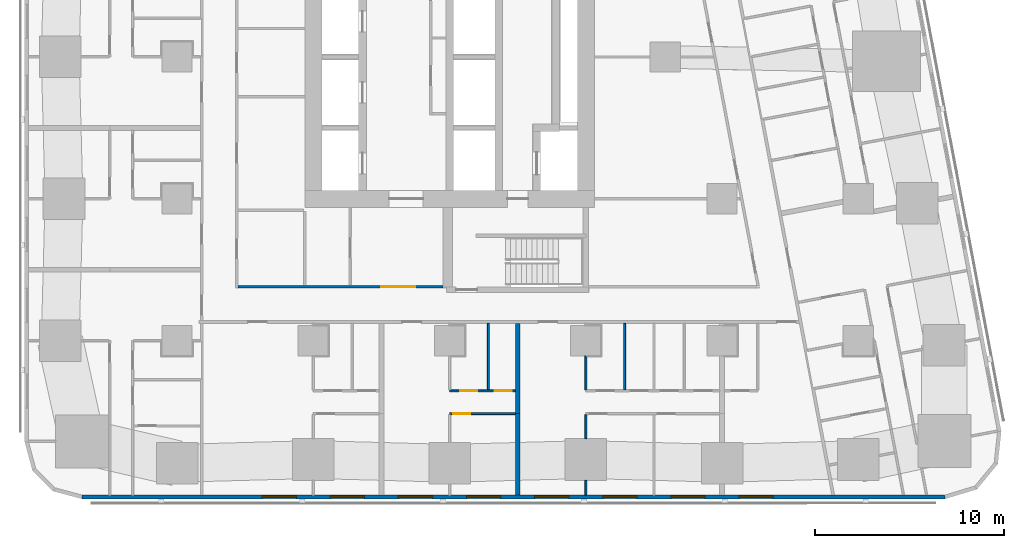
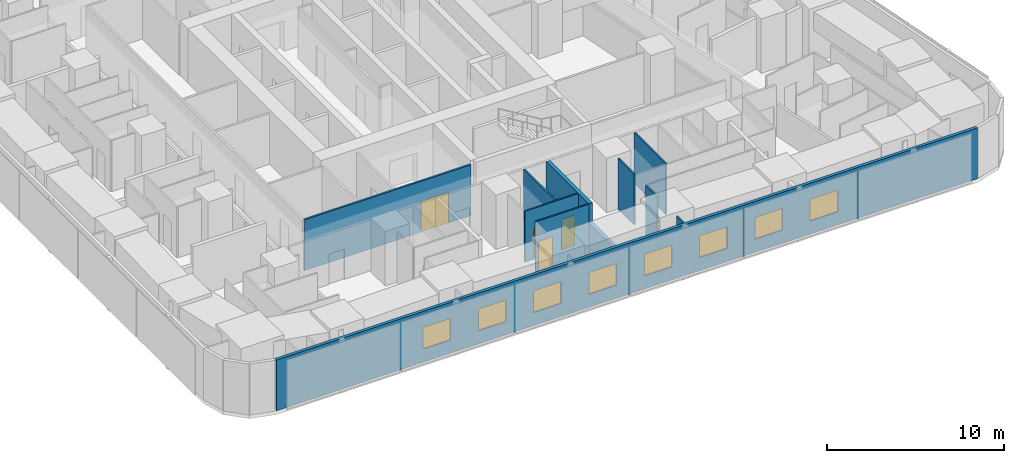
# One storey, part 3 of 16: 11 walls, 8 windows, 4 doors, 12 openings.
"""IFC4 building model written with IfcOpenShell, lengths in metres."""

from ifc_helpers import new_model, si_unit, direction, frame, frame_2d, origin, place, context, subcontext, project, spatial, rectangle, extrude, material, layer, layer_set, type_object, element, fill, save


model = new_model("IFC4")

# Units and contexts
model_context = context("Model", 3, precision=1e-05, world=origin(), true_north=direction((0.0, 1.0)))
body_context = subcontext(model_context, "Body", "Model", "MODEL_VIEW")
ifc_project = project(units=[si_unit("LENGTHUNIT", "METRE"), si_unit("AREAUNIT", "SQUARE_METRE"), si_unit("VOLUMEUNIT", "CUBIC_METRE"), si_unit("PLANEANGLEUNIT", "RADIAN"), si_unit("MASSUNIT", "GRAM", prefix="KILO")], contexts=[model_context])

# Site, building, storey
site_placement = place(None, origin())
site = spatial("IfcSite", under=ifc_project, at=site_placement, CompositionType="ELEMENT")
building_placement = place(site_placement, origin())
building = spatial("IfcBuilding", under=site, at=building_placement, Name="Sheger Commons Tower", CompositionType="ELEMENT")
storey_placement = place(building_placement, frame((0.0, 0.0, 92.89990234375)))
storey = spatial("IfcBuildingStorey", under=building, at=storey_placement, Name="L23", CompositionType="ELEMENT", Elevation=92.89990234375)

# Walls
ifc_material_1 = material(Name="Dense concrete block masonry, plastered both sides (separating wall between flats)", Category="masonry")
ifc_layer_1 = layer(ifc_material_1, 0.25)
ifc_layer_set_1 = layer_set([ifc_layer_1], Name="DEMISING WALL 250")
wall_type_1 = type_object("IfcWallType", Name="DEMISING WALL 250", PredefinedType="SOLIDWALL", material=ifc_layer_set_1)
wall_1_placement = place(storey_placement, frame((25.199951171875, -0.64990234375, 0.0), z_axis=(0.0, 0.0, 1.0), x_axis=(0.0, 1.0, 0.0)))
element("IfcWall", 1, at=wall_1_placement, inside=storey, type_object=wall_type_1, Name="Demising wall L23", PredefinedType="SOLIDWALL", context=body_context, shape_type="SweptSolid", body=[
    extrude(rectangle(XDim=4.2998046875, YDim=0.25, at=frame_2d((2.14990234375, 0.0))), origin(), (0.0, 0.0, 1.0), 2.2001953125),
])
wall_2_placement = place(storey_placement, frame((25.199951171875, 3.64990234375, 0.0), z_axis=(0.0, 0.0, 1.0), x_axis=(0.0, 1.0, 0.0)))
element("IfcWall", 2, at=wall_2_placement, inside=storey, type_object=wall_type_1, Name="Demising wall L23", PredefinedType="SOLIDWALL", context=body_context, shape_type="SweptSolid", body=[
    extrude(rectangle(XDim=4.775146484375, YDim=0.25, at=frame_2d((2.3876953125, 0.0))), origin(), (0.0, 0.0, 1.0), 3.5),
])

# Wall, openings, windows
ifc_material_2 = material(Name="Rendered concrete block masonry, dark grey", Category="masonry")
ifc_layer_2 = layer(ifc_material_2, 0.199951171875)
ifc_layer_set_2 = layer_set([ifc_layer_2], Name="FACADE WALL 200")
wall_type_2 = type_object("IfcWallType", Name="FACADE WALL 200", PredefinedType="SOLIDWALL", material=ifc_layer_set_2)
wall_3_placement = place(storey_placement, frame((2.1630859375, -0.75, 0.0), z_axis=(0.0, 0.0, 1.0), x_axis=(1.0, 0.0, 0.0)))
wall_3 = element("IfcWall", 3, at=wall_3_placement, inside=storey, type_object=wall_type_2, Name="Facade wall L23", PredefinedType="SOLIDWALL", context=body_context, shape_type="SweptSolid", body=[
    extrude(rectangle(XDim=45.6279296875, YDim=0.199951171875, at=frame_2d((22.81396484375, 0.0))), origin(), (0.0, 0.0, 1.0), 3.5),
])
opening_1_placement = place(wall_3_placement, frame((9.537109375, 0.0, 0.89990234375)))
opening_1 = element("IfcOpeningElement", 4, at=opening_1_placement, cuts=wall_3, Name="Opening W2", PredefinedType="OPENING", context=body_context, shape_type="SweptSolid", body=[
    extrude(rectangle(XDim=1.800048828125, YDim=1.5, at=frame_2d((0.89990234375, 0.75))), frame((0.0, 0.10986328125, 0.0), z_axis=(0.0, -1.0, 0.0), x_axis=(1.0, 0.0, 0.0)), (0.0, 0.0, 1.0), 0.219970703125),
])
opening_2_placement = place(wall_3_placement, frame((13.136962890625, 0.0, 0.89990234375)))
opening_2 = element("IfcOpeningElement", 5, at=opening_2_placement, cuts=wall_3, Name="Opening W2", PredefinedType="OPENING", context=body_context, shape_type="SweptSolid", body=[
    extrude(rectangle(XDim=1.800048828125, YDim=1.5, at=frame_2d((0.89990234375, 0.75))), frame((0.0, 0.10986328125, 0.0), z_axis=(0.0, -1.0, 0.0), x_axis=(1.0, 0.0, 0.0)), (0.0, 0.0, 1.0), 0.219970703125),
])
opening_3_placement = place(wall_3_placement, frame((16.737060546875, 0.0, 0.89990234375)))
opening_3 = element("IfcOpeningElement", 6, at=opening_3_placement, cuts=wall_3, Name="Opening W2", PredefinedType="OPENING", context=body_context, shape_type="SweptSolid", body=[
    extrude(rectangle(XDim=1.800048828125, YDim=1.5, at=frame_2d((0.89990234375, 0.75))), frame((0.0, 0.10986328125, 0.0), z_axis=(0.0, -1.0, 0.0), x_axis=(1.0, 0.0, 0.0)), (0.0, 0.0, 1.0), 0.219970703125),
])
opening_4_placement = place(wall_3_placement, frame((20.3369140625, 0.0, 0.89990234375)))
opening_4 = element("IfcOpeningElement", 7, at=opening_4_placement, cuts=wall_3, Name="Opening W2", PredefinedType="OPENING", context=body_context, shape_type="SweptSolid", body=[
    extrude(rectangle(XDim=1.800048828125, YDim=1.5, at=frame_2d((0.89990234375, 0.75))), frame((0.0, 0.10986328125, 0.0), z_axis=(0.0, -1.0, 0.0), x_axis=(1.0, 0.0, 0.0)), (0.0, 0.0, 1.0), 0.219970703125),
])
opening_5_placement = place(wall_3_placement, frame((23.93701171875, 0.0, 0.89990234375)))
opening_5 = element("IfcOpeningElement", 8, at=opening_5_placement, cuts=wall_3, Name="Opening W2", PredefinedType="OPENING", context=body_context, shape_type="SweptSolid", body=[
    extrude(rectangle(XDim=1.800048828125, YDim=1.5, at=frame_2d((0.89990234375, 0.75))), frame((0.0, 0.10986328125, 0.0), z_axis=(0.0, -1.0, 0.0), x_axis=(1.0, 0.0, 0.0)), (0.0, 0.0, 1.0), 0.219970703125),
])
opening_6_placement = place(wall_3_placement, frame((27.537109375, 0.0, 0.89990234375)))
opening_6 = element("IfcOpeningElement", 9, at=opening_6_placement, cuts=wall_3, Name="Opening W2", PredefinedType="OPENING", context=body_context, shape_type="SweptSolid", body=[
    extrude(rectangle(XDim=1.800048828125, YDim=1.5, at=frame_2d((0.89990234375, 0.75))), frame((0.0, 0.10986328125, 0.0), z_axis=(0.0, -1.0, 0.0), x_axis=(1.0, 0.0, 0.0)), (0.0, 0.0, 1.0), 0.219970703125),
])
opening_7_placement = place(wall_3_placement, frame((31.136962890625, 0.0, 0.89990234375)))
opening_7 = element("IfcOpeningElement", 10, at=opening_7_placement, cuts=wall_3, Name="Opening W2", PredefinedType="OPENING", context=body_context, shape_type="SweptSolid", body=[
    extrude(rectangle(XDim=1.800048828125, YDim=1.5, at=frame_2d((0.89990234375, 0.75))), frame((0.0, 0.10986328125, 0.0), z_axis=(0.0, -1.0, 0.0), x_axis=(1.0, 0.0, 0.0)), (0.0, 0.0, 1.0), 0.219970703125),
])
opening_8_placement = place(wall_3_placement, frame((34.737060546875, 0.0, 0.89990234375)))
opening_8 = element("IfcOpeningElement", 11, at=opening_8_placement, cuts=wall_3, Name="Opening W2", PredefinedType="OPENING", context=body_context, shape_type="SweptSolid", body=[
    extrude(rectangle(XDim=1.800048828125, YDim=1.5, at=frame_2d((0.89990234375, 0.75))), frame((0.0, 0.10986328125, 0.0), z_axis=(0.0, -1.0, 0.0), x_axis=(1.0, 0.0, 0.0)), (0.0, 0.0, 1.0), 0.219970703125),
])
ifc_material_3 = material(Name="Black aluminium frame, dark tinted double glazing", Category="aluminium")
window_type = type_object("IfcWindowType", Name="WINDOW W2 1800x1500", PartitioningType="SINGLE_PANEL", PredefinedType="WINDOW", material=ifc_material_3)
window_1_placement = place(opening_1_placement, origin())
window_1 = element("IfcWindow", 12, at=window_1_placement, inside=storey, type_object=window_type, Name="Window W2 1800X1500", OverallHeight=1.5, OverallWidth=1.800048828125, PartitioningType="SINGLE_PANEL", PredefinedType="WINDOW", context=body_context, shape_type="SweptSolid", body=[
    extrude(rectangle(XDim=1.800048828125, YDim=1.5, at=frame_2d((0.89990234375, 0.75))), frame((0.0, 0.030029296875, 0.0), z_axis=(0.0, -1.0, 0.0), x_axis=(1.0, 0.0, 0.0)), (0.0, 0.0, 1.0), 0.06005859375),
])
fill(opening_1, window_1)
window_2_placement = place(opening_2_placement, origin())
window_2 = element("IfcWindow", 13, at=window_2_placement, inside=storey, type_object=window_type, Name="Window W2 1800X1500", OverallHeight=1.5, OverallWidth=1.800048828125, PartitioningType="SINGLE_PANEL", PredefinedType="WINDOW", context=body_context, shape_type="SweptSolid", body=[
    extrude(rectangle(XDim=1.800048828125, YDim=1.5, at=frame_2d((0.89990234375, 0.75))), frame((0.0, 0.030029296875, 0.0), z_axis=(0.0, -1.0, 0.0), x_axis=(1.0, 0.0, 0.0)), (0.0, 0.0, 1.0), 0.06005859375),
])
fill(opening_2, window_2)
window_3_placement = place(opening_3_placement, origin())
window_3 = element("IfcWindow", 14, at=window_3_placement, inside=storey, type_object=window_type, Name="Window W2 1800X1500", OverallHeight=1.5, OverallWidth=1.800048828125, PartitioningType="SINGLE_PANEL", PredefinedType="WINDOW", context=body_context, shape_type="SweptSolid", body=[
    extrude(rectangle(XDim=1.800048828125, YDim=1.5, at=frame_2d((0.89990234375, 0.75))), frame((0.0, 0.030029296875, 0.0), z_axis=(0.0, -1.0, 0.0), x_axis=(1.0, 0.0, 0.0)), (0.0, 0.0, 1.0), 0.06005859375),
])
fill(opening_3, window_3)
window_4_placement = place(opening_4_placement, origin())
window_4 = element("IfcWindow", 15, at=window_4_placement, inside=storey, type_object=window_type, Name="Window W2 1800X1500", OverallHeight=1.5, OverallWidth=1.800048828125, PartitioningType="SINGLE_PANEL", PredefinedType="WINDOW", context=body_context, shape_type="SweptSolid", body=[
    extrude(rectangle(XDim=1.800048828125, YDim=1.5, at=frame_2d((0.89990234375, 0.75))), frame((0.0, 0.030029296875, 0.0), z_axis=(0.0, -1.0, 0.0), x_axis=(1.0, 0.0, 0.0)), (0.0, 0.0, 1.0), 0.06005859375),
])
fill(opening_4, window_4)
window_5_placement = place(opening_5_placement, origin())
window_5 = element("IfcWindow", 16, at=window_5_placement, inside=storey, type_object=window_type, Name="Window W2 1800X1500", OverallHeight=1.5, OverallWidth=1.800048828125, PartitioningType="SINGLE_PANEL", PredefinedType="WINDOW", context=body_context, shape_type="SweptSolid", body=[
    extrude(rectangle(XDim=1.800048828125, YDim=1.5, at=frame_2d((0.89990234375, 0.75))), frame((0.0, 0.030029296875, 0.0), z_axis=(0.0, -1.0, 0.0), x_axis=(1.0, 0.0, 0.0)), (0.0, 0.0, 1.0), 0.06005859375),
])
fill(opening_5, window_5)
window_6_placement = place(opening_6_placement, origin())
window_6 = element("IfcWindow", 17, at=window_6_placement, inside=storey, type_object=window_type, Name="Window W2 1800X1500", OverallHeight=1.5, OverallWidth=1.800048828125, PartitioningType="SINGLE_PANEL", PredefinedType="WINDOW", context=body_context, shape_type="SweptSolid", body=[
    extrude(rectangle(XDim=1.800048828125, YDim=1.5, at=frame_2d((0.89990234375, 0.75))), frame((0.0, 0.030029296875, 0.0), z_axis=(0.0, -1.0, 0.0), x_axis=(1.0, 0.0, 0.0)), (0.0, 0.0, 1.0), 0.06005859375),
])
fill(opening_6, window_6)
window_7_placement = place(opening_7_placement, origin())
window_7 = element("IfcWindow", 18, at=window_7_placement, inside=storey, type_object=window_type, Name="Window W2 1800X1500", OverallHeight=1.5, OverallWidth=1.800048828125, PartitioningType="SINGLE_PANEL", PredefinedType="WINDOW", context=body_context, shape_type="SweptSolid", body=[
    extrude(rectangle(XDim=1.800048828125, YDim=1.5, at=frame_2d((0.89990234375, 0.75))), frame((0.0, 0.030029296875, 0.0), z_axis=(0.0, -1.0, 0.0), x_axis=(1.0, 0.0, 0.0)), (0.0, 0.0, 1.0), 0.06005859375),
])
fill(opening_7, window_7)
window_8_placement = place(opening_8_placement, origin())
window_8 = element("IfcWindow", 19, at=window_8_placement, inside=storey, type_object=window_type, Name="Window W2 1800X1500", OverallHeight=1.5, OverallWidth=1.800048828125, PartitioningType="SINGLE_PANEL", PredefinedType="WINDOW", context=body_context, shape_type="SweptSolid", body=[
    extrude(rectangle(XDim=1.800048828125, YDim=1.5, at=frame_2d((0.89990234375, 0.75))), frame((0.0, 0.030029296875, 0.0), z_axis=(0.0, -1.0, 0.0), x_axis=(1.0, 0.0, 0.0)), (0.0, 0.0, 1.0), 0.06005859375),
])
fill(opening_8, window_8)

# Wall, opening, door
ifc_material_4 = material(Name="Gypsum board on steel studs", Category="steel")
ifc_layer_3 = layer(ifc_material_4, 0.10009765625)
ifc_layer_set_3 = layer_set([ifc_layer_3], Name="PARTITION 100")
wall_type_3 = type_object("IfcWallType", Name="PARTITION 100", PredefinedType="PARTITIONING", material=ifc_layer_set_3)
wall_4_placement = place(storey_placement, frame((25.074951171875, 3.64990234375, 0.0), z_axis=(0.0, 0.0, 1.0), x_axis=(-1.0, 0.0, 0.0)))
wall_4 = element("IfcWall", 20, at=wall_4_placement, inside=storey, type_object=wall_type_3, Name="Partition L23", PredefinedType="PARTITIONING", context=body_context, shape_type="SweptSolid", body=[
    extrude(rectangle(XDim=3.474853515625, YDim=0.10009765625, at=frame_2d((1.7373046875, 0.0))), origin(), (0.0, 0.0, 1.0), 3.5),
])
opening_9_placement = place(wall_4_placement, frame((2.375, 0.0, 0.0)))
opening_9 = element("IfcOpeningElement", 21, at=opening_9_placement, cuts=wall_4, Name="Opening D2", PredefinedType="OPENING", context=body_context, shape_type="SweptSolid", body=[
    extrude(rectangle(XDim=0.89990234375, YDim=2.10009765625, at=frame_2d((0.449951171875, 1.050048828125))), frame((0.0, 0.06005859375, 0.0), z_axis=(0.0, -1.0, 0.0), x_axis=(1.0, 0.0, 0.0)), (0.0, 0.0, 1.0), 0.1201171875),
])
ifc_material_5 = material(Name="Timber door set", Category="wood")
door_type_1 = type_object("IfcDoorType", Name="INTERNAL DOOR 900x2100", OperationType="NOTDEFINED", PredefinedType="DOOR", material=ifc_material_5)
door_1_placement = place(opening_9_placement, origin())
door_1 = element("IfcDoor", 22, at=door_1_placement, inside=storey, type_object=door_type_1, Name="Main bedroom door", OperationType="SINGLE_SWING_RIGHT", OverallHeight=2.10009765625, OverallWidth=0.89990234375, PredefinedType="DOOR", context=body_context, shape_type="SweptSolid", body=[
    extrude(rectangle(XDim=0.89990234375, YDim=2.10009765625, at=frame_2d((0.449951171875, 1.050048828125))), frame((0.0, 0.02490234375, 0.0), z_axis=(0.0, -1.0, 0.0), x_axis=(1.0, 0.0, 0.0)), (0.0, 0.0, 1.0), 0.050048828125),
])
fill(opening_9, door_1)

# Wall, openings, doors
wall_5_placement = place(storey_placement, frame((25.074951171875, 4.85009765625, 0.0), z_axis=(0.0, 0.0, 1.0), x_axis=(-1.0, 0.0, 0.0)))
wall_5 = element("IfcWall", 23, at=wall_5_placement, inside=storey, type_object=wall_type_3, Name="Partition L23", PredefinedType="PARTITIONING", context=body_context, shape_type="SweptSolid", body=[
    extrude(rectangle(XDim=3.474853515625, YDim=0.10009765625, at=frame_2d((1.7373046875, 0.0))), origin(), (0.0, 0.0, 1.0), 3.5),
])
opening_10_placement = place(wall_5_placement, frame((2.0, 0.0, 0.0)))
opening_10 = element("IfcOpeningElement", 24, at=opening_10_placement, cuts=wall_5, Name="Opening D2", PredefinedType="OPENING", context=body_context, shape_type="SweptSolid", body=[
    extrude(rectangle(XDim=0.89990234375, YDim=2.10009765625, at=frame_2d((0.449951171875, 1.050048828125))), frame((0.0, 0.06005859375, 0.0), z_axis=(0.0, -1.0, 0.0), x_axis=(1.0, 0.0, 0.0)), (0.0, 0.0, 1.0), 0.1201171875),
])
opening_11_placement = place(wall_5_placement, frame((0.199951171875, 0.0, 0.0)))
opening_11 = element("IfcOpeningElement", 25, at=opening_11_placement, cuts=wall_5, Name="Opening D2", PredefinedType="OPENING", context=body_context, shape_type="SweptSolid", body=[
    extrude(rectangle(XDim=0.89990234375, YDim=2.10009765625, at=frame_2d((0.449951171875, 1.050048828125))), frame((0.0, 0.06005859375, 0.0), z_axis=(0.0, -1.0, 0.0), x_axis=(1.0, 0.0, 0.0)), (0.0, 0.0, 1.0), 0.1201171875),
])
door_2_placement = place(opening_10_placement, origin())
door_2 = element("IfcDoor", 26, at=door_2_placement, inside=storey, type_object=door_type_1, Name="Bathroom door", OperationType="SINGLE_SWING_LEFT", OverallHeight=2.10009765625, OverallWidth=0.89990234375, PredefinedType="DOOR", context=body_context, shape_type="SweptSolid", body=[
    extrude(rectangle(XDim=0.89990234375, YDim=2.10009765625, at=frame_2d((0.449951171875, 1.050048828125))), frame((0.0, 0.02490234375, 0.0), z_axis=(0.0, -1.0, 0.0), x_axis=(1.0, 0.0, 0.0)), (0.0, 0.0, 1.0), 0.050048828125),
])
fill(opening_10, door_2)
door_3_placement = place(opening_11_placement, origin())
door_3 = element("IfcDoor", 27, at=door_3_placement, inside=storey, type_object=door_type_1, Name="Store door", OperationType="SINGLE_SWING_RIGHT", OverallHeight=2.10009765625, OverallWidth=0.89990234375, PredefinedType="DOOR", context=body_context, shape_type="SweptSolid", body=[
    extrude(rectangle(XDim=0.89990234375, YDim=2.10009765625, at=frame_2d((0.449951171875, 1.050048828125))), frame((0.0, 0.02490234375, 0.0), z_axis=(0.0, -1.0, 0.0), x_axis=(1.0, 0.0, 0.0)), (0.0, 0.0, 1.0), 0.050048828125),
])
fill(opening_11, door_3)

# Walls
wall_6_placement = place(storey_placement, frame((23.64990234375, 4.89990234375, 0.0), z_axis=(0.0, 0.0, 1.0), x_axis=(0.0, 1.0, 0.0)))
element("IfcWall", 28, at=wall_6_placement, inside=storey, type_object=wall_type_3, Name="Partition L23", PredefinedType="PARTITIONING", context=body_context, shape_type="SweptSolid", body=[
    extrude(rectangle(XDim=3.525146484375, YDim=0.10009765625, at=frame_2d((1.7626953125, 0.0))), origin(), (0.0, 0.0, 1.0), 3.5),
])
wall_7_placement = place(storey_placement, frame((28.800048828125, -0.64990234375, 0.0), z_axis=(0.0, 0.0, 1.0), x_axis=(0.0, 1.0, 0.0)))
element("IfcWall", 29, at=wall_7_placement, inside=storey, type_object=wall_type_3, Name="Partition L23", PredefinedType="PARTITIONING", context=body_context, shape_type="SweptSolid", body=[
    extrude(rectangle(XDim=0.77392578125, YDim=0.10009765625, at=frame_2d((0.386962890625, 0.0))), origin(), (0.0, 0.0, 1.0), 3.5),
])
wall_8_placement = place(storey_placement, frame((28.800048828125, 2.325927734375, 0.0), z_axis=(0.0, 0.0, 1.0), x_axis=(0.0, 1.0, 0.0)))
element("IfcWall", 30, at=wall_8_placement, inside=storey, type_object=wall_type_3, Name="Partition L23", PredefinedType="PARTITIONING", context=body_context, shape_type="SweptSolid", body=[
    extrude(rectangle(XDim=1.274169921875, YDim=0.10009765625, at=frame_2d((0.63720703125, 0.0))), origin(), (0.0, 0.0, 1.0), 3.5),
])
wall_9_placement = place(storey_placement, frame((28.800048828125, 4.89990234375, 0.0), z_axis=(0.0, 0.0, 1.0), x_axis=(0.0, 1.0, 0.0)))
element("IfcWall", 31, at=wall_9_placement, inside=storey, type_object=wall_type_3, Name="Partition L23", PredefinedType="PARTITIONING", context=body_context, shape_type="SweptSolid", body=[
    extrude(rectangle(XDim=1.799072265625, YDim=0.10009765625, at=frame_2d((0.8994140625, 0.0))), origin(), (0.0, 0.0, 1.0), 3.5),
])
wall_10_placement = place(storey_placement, frame((30.85009765625, 4.89990234375, 0.0), z_axis=(0.0, 0.0, 1.0), x_axis=(0.0, 1.0, 0.0)))
element("IfcWall", 32, at=wall_10_placement, inside=storey, type_object=wall_type_3, Name="Partition L23", PredefinedType="PARTITIONING", context=body_context, shape_type="SweptSolid", body=[
    extrude(rectangle(XDim=3.525146484375, YDim=0.10009765625, at=frame_2d((1.7626953125, 0.0))), origin(), (0.0, 0.0, 1.0), 3.5),
])

# Wall, opening, door
ifc_material_6 = material(Name="Gypsum board on steel studs, two layers each side, fire rated", Category="steel")
ifc_layer_4 = layer(ifc_material_6, 0.125)
ifc_layer_set_4 = layer_set([ifc_layer_4], Name="SERVICE WALL 125")
wall_type_4 = type_object("IfcWallType", Name="SERVICE WALL 125", PredefinedType="PARTITIONING", material=ifc_layer_set_4)
wall_11_placement = place(storey_placement, frame((10.4130859375, 10.35009765625, 0.0), z_axis=(0.0, 0.0, 1.0), x_axis=(1.0, 0.0, 0.0)))
wall_11 = element("IfcWall", 33, at=wall_11_placement, inside=storey, type_object=wall_type_4, Name="Service room wall L23", PredefinedType="PARTITIONING", context=body_context, shape_type="SweptSolid", body=[
    extrude(rectangle(XDim=10.8369140625, YDim=0.125, at=frame_2d((5.41845703125, 0.0))), origin(), (0.0, 0.0, 1.0), 3.5),
])
opening_12_placement = place(wall_11_placement, frame((7.58203125, 0.0, 0.0)))
opening_12 = element("IfcOpeningElement", 34, at=opening_12_placement, cuts=wall_11, Name="Opening D6", PredefinedType="OPENING", context=body_context, shape_type="SweptSolid", body=[
    extrude(rectangle(XDim=1.800048828125, YDim=2.10009765625, at=frame_2d((0.89990234375, 1.050048828125))), frame((0.0, 0.072509765625, 0.0), z_axis=(0.0, -1.0, 0.0), x_axis=(1.0, 0.0, 0.0)), (0.0, 0.0, 1.0), 0.14501953125),
])
ifc_material_7 = material(Name="Steel door set, fire rated", Category="steel")
door_type_2 = type_object("IfcDoorType", Name="LOBBY DOUBLE DOOR 1800x2100", OperationType="DOUBLE_DOOR_SINGLE_SWING", PredefinedType="DOOR", material=ifc_material_7)
door_4_placement = place(opening_12_placement, origin())
door_4 = element("IfcDoor", 35, at=door_4_placement, inside=storey, type_object=door_type_2, Name="Lift lobby south door", OperationType="DOUBLE_DOOR_SINGLE_SWING", OverallHeight=2.10009765625, OverallWidth=1.800048828125, PredefinedType="DOOR", context=body_context, shape_type="SweptSolid", body=[
    extrude(rectangle(XDim=1.800048828125, YDim=2.10009765625, at=frame_2d((0.89990234375, 1.050048828125))), frame((0.0, 0.02490234375, 0.0), z_axis=(0.0, -1.0, 0.0), x_axis=(1.0, 0.0, 0.0)), (0.0, 0.0, 1.0), 0.050048828125),
])
fill(opening_12, door_4)

save(model, "model.ifc")
